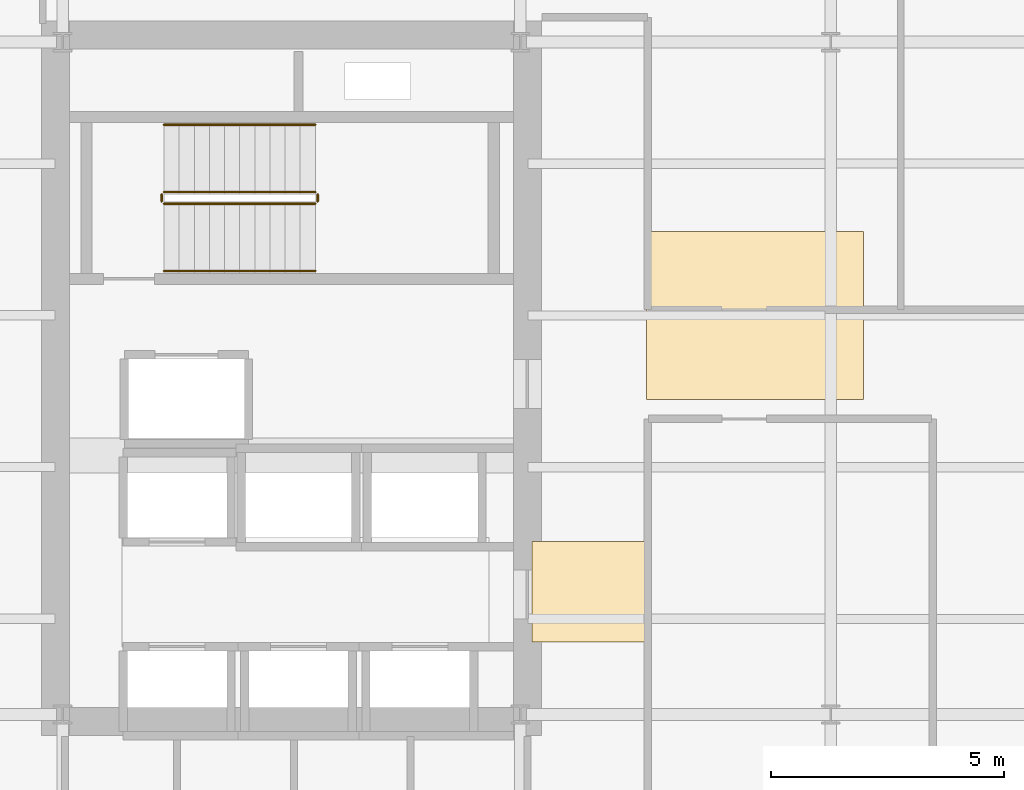
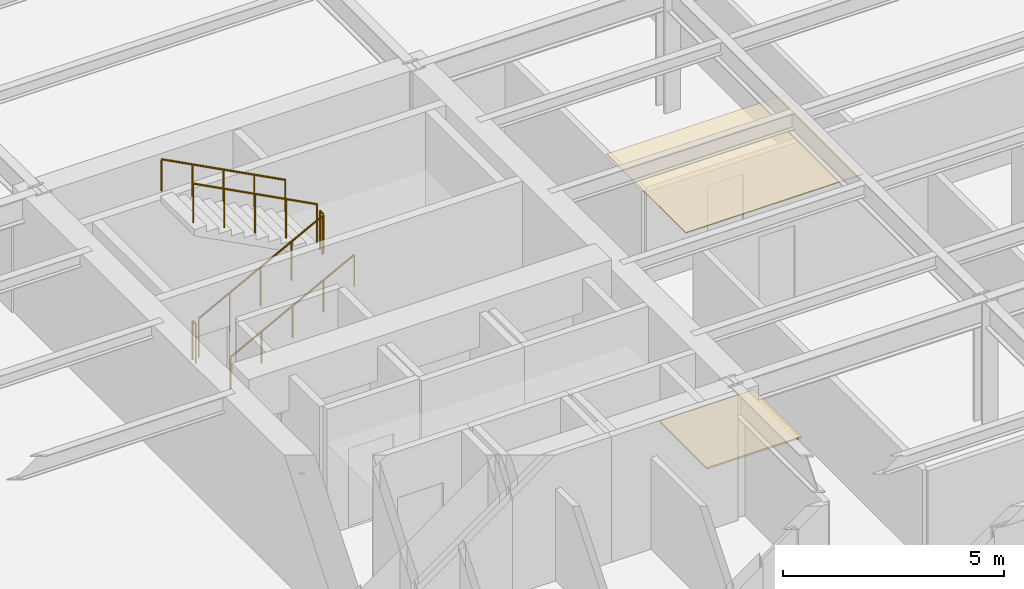
# One storey, part 9 of 12: 6 railings, 2 coverings.
"""IFC4 building model written with IfcOpenShell, lengths in metres."""

from ifc_helpers import new_model, si_unit, direction, frame, origin, origin_2d, place, context, subcontext, project, spatial, polyline, circle, outline, extrude, material, layer, layer_set, type_object, element, save


model = new_model("IFC4")

# Units and contexts
model_context = context("Model", 3, precision=1e-05, world=origin(), true_north=direction((0.0, 1.0)))
body_context = subcontext(model_context, "Body", "Model", "MODEL_VIEW")
ifc_project = project(units=[si_unit("LENGTHUNIT", "METRE"), si_unit("AREAUNIT", "SQUARE_METRE"), si_unit("VOLUMEUNIT", "CUBIC_METRE"), si_unit("PLANEANGLEUNIT", "RADIAN"), si_unit("MASSUNIT", "GRAM", prefix="KILO")], contexts=[model_context])

# Site, building, storey
site_placement = place(None, origin())
site = spatial("IfcSite", under=ifc_project, at=site_placement, CompositionType="ELEMENT")
building_placement = place(site_placement, origin())
building = spatial("IfcBuilding", under=site, at=building_placement, Name="Kolvaren Arena Tower", CompositionType="ELEMENT")
storey_placement = place(building_placement, frame((0.0, 0.0, 199.699951171875)))
storey = spatial("IfcBuildingStorey", under=building, at=storey_placement, Name="L48", CompositionType="ELEMENT", Elevation=199.699951171875)

# Coverings
ifc_material_1 = material(Name="Mineral fibre acoustic ceiling tile", Category="gypsum")
ifc_layer_1 = layer(ifc_material_1, 0.02490234375)
ifc_layer_set_1 = layer_set([ifc_layer_1], Name="Mineral fibre acoustic ceiling tile")
covering_type_1 = type_object("IfcCoveringType", Name="CEIL-ACT-1", PredefinedType="CEILING", material=ifc_layer_set_1)
covering_1_placement = place(storey_placement, frame((0.0, 0.0, 2.52001953125)))
element("IfcCovering", 1, at=covering_1_placement, inside=storey, type_object=covering_type_1, Name="Suspended Ceiling (L48)", PredefinedType="CEILING", context=body_context, shape_type="SweptSolid", body=[
    extrude(outline(polyline([(27.050048828125, 26.199951171875), (27.050048828125, 29.800048828125), (31.699951171875, 29.800048828125), (31.699951171875, 26.199951171875), (27.050048828125, 26.199951171875)])), origin(), (0.0, 0.0, 1.0), 0.025146484375),
])
ifc_material_2 = material(Name="Raised access office floor finish", Category="aluminium")
ifc_layer_2 = layer(ifc_material_2, 0.044921875)
ifc_layer_set_2 = layer_set([ifc_layer_2], Name="Raised access office floor finish")
covering_type_2 = type_object("IfcCoveringType", Name="FLOR-RAF-1", PredefinedType="FLOORING", material=ifc_layer_set_2)
covering_2_placement = place(storey_placement, origin())
element("IfcCovering", 2, at=covering_2_placement, inside=storey, type_object=covering_type_2, Name="Floor Finish (L48)", PredefinedType="FLOORING", context=body_context, shape_type="SweptSolid", body=[
    extrude(outline(polyline([(24.60009765625, 21.0), (24.60009765625, 23.14990234375), (27.080078125, 23.14990234375), (27.080078125, 21.0), (24.60009765625, 21.0)])), origin(), (0.0, 0.0, 1.0), 0.045166015625),
])

# Railings
ifc_material_3 = material(Name="Painted galvanized steel", Category="steel")
railing_type_1 = type_object("IfcRailingType", Name="GUARD-ST-110", PredefinedType="GUARDRAIL", material=ifc_material_3)
railing_1_placement = place(storey_placement, frame((16.719970703125, 30.389892578125, 0.17041015625)))
element("IfcRailing", 3, at=railing_1_placement, inside=storey, type_object=railing_type_1, Name="L48 ST-W1 stair guard 1", PredefinedType="GUARDRAIL", context=body_context, shape_type="SweptSolid", body=[
    extrude(circle(Radius=0.02392578125, at=origin_2d()), frame((0.0, 0.0, 1.076171875), z_axis=(0.884993431791, 0.0, 0.465603506952), x_axis=(0.0, 1.0, 0.0)), (0.0, 0.0, 1.0), 3.6611328125),
    extrude(circle(Radius=0.02099609375, at=origin_2d()), origin(), (0.0, 0.0, 1.0), 1.052001953125),
    extrude(circle(Radius=0.02099609375, at=origin_2d()), frame((0.81005859375, 0.0, 0.42626953125)), (0.0, 0.0, 1.0), 1.052001953125),
    extrude(circle(Radius=0.02099609375, at=origin_2d()), frame((1.6201171875, 0.0, 0.852294921875)), (0.0, 0.0, 1.0), 1.052001953125),
    extrude(circle(Radius=0.02099609375, at=origin_2d()), frame((2.429931640625, 0.0, 1.2783203125)), (0.0, 0.0, 1.0), 1.052001953125),
    extrude(circle(Radius=0.02099609375, at=origin_2d()), frame((3.239990234375, 0.0, 1.70458984375)), (0.0, 0.0, 1.0), 1.052001953125),
])
railing_2_placement = place(storey_placement, frame((20.010009765625, 30.43994140625, 1.875)))
element("IfcRailing", 4, at=railing_2_placement, inside=storey, type_object=railing_type_1, Name="L48 ST-W1 stair guard 2", PredefinedType="GUARDRAIL", context=body_context, shape_type="SweptSolid", body=[
    extrude(circle(Radius=0.02392578125, at=origin_2d()), frame((0.0, 0.0, 1.076171875), z_axis=(0.0, 1.0, 0.0), x_axis=(-1.0, 0.0, 0.0)), (0.0, 0.0, 1.0), 0.150146484375),
    extrude(circle(Radius=0.02099609375, at=origin_2d()), origin(), (0.0, 0.0, 1.0), 1.052001953125),
    extrude(circle(Radius=0.02099609375, at=origin_2d()), frame((0.0, 0.150146484375, 0.0)), (0.0, 0.0, 1.0), 1.052001953125),
])
railing_3_placement = place(storey_placement, frame((19.9599609375, 30.639892578125, 2.04541015625)))
element("IfcRailing", 5, at=railing_3_placement, inside=storey, type_object=railing_type_1, Name="L48 ST-W1 stair guard 3", PredefinedType="GUARDRAIL", context=body_context, shape_type="SweptSolid", body=[
    extrude(circle(Radius=0.02392578125, at=origin_2d()), frame((0.0, 0.0, 1.076171875), z_axis=(-0.884993431791, 0.0, 0.465603506952), x_axis=(0.0, -1.0, 0.0)), (0.0, 0.0, 1.0), 3.6611328125),
    extrude(circle(Radius=0.02099609375, at=origin_2d()), origin(), (0.0, 0.0, 1.0), 1.052001953125),
    extrude(circle(Radius=0.02099609375, at=origin_2d()), frame((-0.81005859375, 0.0, 0.42626953125)), (0.0, 0.0, 1.0), 1.052001953125),
    extrude(circle(Radius=0.02099609375, at=origin_2d()), frame((-1.6201171875, 0.0, 0.852294921875)), (0.0, 0.0, 1.0), 1.052001953125),
    extrude(circle(Radius=0.02099609375, at=origin_2d()), frame((-2.429931640625, 0.0, 1.2783203125)), (0.0, 0.0, 1.0), 1.052001953125),
    extrude(circle(Radius=0.02099609375, at=origin_2d()), frame((-3.239990234375, 0.0, 1.70458984375)), (0.0, 0.0, 1.0), 1.052001953125),
])
railing_4_placement = place(storey_placement, frame((16.669921875, 30.43994140625, 0.0)))
element("IfcRailing", 6, at=railing_4_placement, inside=storey, type_object=railing_type_1, Name="L48 ST-W1 stair guard 4", PredefinedType="GUARDRAIL", context=body_context, shape_type="SweptSolid", body=[
    extrude(circle(Radius=0.02392578125, at=origin_2d()), frame((0.0, 0.0, 1.076171875), z_axis=(0.0, 1.0, 0.0), x_axis=(-1.0, 0.0, 0.0)), (0.0, 0.0, 1.0), 0.150146484375),
    extrude(circle(Radius=0.02099609375, at=origin_2d()), origin(), (0.0, 0.0, 1.0), 1.052001953125),
    extrude(circle(Radius=0.02099609375, at=origin_2d()), frame((0.0, 0.150146484375, 0.0)), (0.0, 0.0, 1.0), 1.052001953125),
])
ifc_material_4 = material(Name="Brushed stainless steel handrail", Category="steel")
railing_type_2 = type_object("IfcRailingType", Name="HRAIL-900", PredefinedType="HANDRAIL", material=ifc_material_4)
railing_5_placement = place(storey_placement, frame((16.719970703125, 28.949951171875, 0.17041015625)))
element("IfcRailing", 7, at=railing_5_placement, inside=storey, type_object=railing_type_2, Name="L48 ST-W1 stair handrail 1", PredefinedType="HANDRAIL", context=body_context, shape_type="SweptSolid", body=[
    extrude(circle(Radius=0.02392578125, at=origin_2d()), frame((0.0, 0.0, 0.8759765625), z_axis=(0.884993431791, 0.0, 0.465603506952), x_axis=(0.0, 1.0, 0.0)), (0.0, 0.0, 1.0), 3.6611328125),
    extrude(circle(Radius=0.02099609375, at=origin_2d()), origin(), (0.0, 0.0, 1.0), 0.851806640625),
    extrude(circle(Radius=0.02099609375, at=origin_2d()), frame((0.81005859375, 0.0, 0.42626953125)), (0.0, 0.0, 1.0), 0.851806640625),
    extrude(circle(Radius=0.02099609375, at=origin_2d()), frame((1.6201171875, 0.0, 0.852294921875)), (0.0, 0.0, 1.0), 0.851806640625),
    extrude(circle(Radius=0.02099609375, at=origin_2d()), frame((2.429931640625, 0.0, 1.2783203125)), (0.0, 0.0, 1.0), 0.851806640625),
    extrude(circle(Radius=0.02099609375, at=origin_2d()), frame((3.239990234375, 0.0, 1.70458984375)), (0.0, 0.0, 1.0), 0.851806640625),
])
railing_6_placement = place(storey_placement, frame((19.9599609375, 32.080078125, 2.04541015625)))
element("IfcRailing", 8, at=railing_6_placement, inside=storey, type_object=railing_type_2, Name="L48 ST-W1 stair handrail 2", PredefinedType="HANDRAIL", context=body_context, shape_type="SweptSolid", body=[
    extrude(circle(Radius=0.02392578125, at=origin_2d()), frame((0.0, 0.0, 0.8759765625), z_axis=(-0.884993431791, 0.0, 0.465603506952), x_axis=(0.0, -1.0, 0.0)), (0.0, 0.0, 1.0), 3.6611328125),
    extrude(circle(Radius=0.02099609375, at=origin_2d()), origin(), (0.0, 0.0, 1.0), 0.851806640625),
    extrude(circle(Radius=0.02099609375, at=origin_2d()), frame((-0.81005859375, 0.0, 0.42626953125)), (0.0, 0.0, 1.0), 0.851806640625),
    extrude(circle(Radius=0.02099609375, at=origin_2d()), frame((-1.6201171875, 0.0, 0.852294921875)), (0.0, 0.0, 1.0), 0.851806640625),
    extrude(circle(Radius=0.02099609375, at=origin_2d()), frame((-2.429931640625, 0.0, 1.2783203125)), (0.0, 0.0, 1.0), 0.851806640625),
    extrude(circle(Radius=0.02099609375, at=origin_2d()), frame((-3.239990234375, 0.0, 1.70458984375)), (0.0, 0.0, 1.0), 0.851806640625),
])

save(model, "model.ifc")
